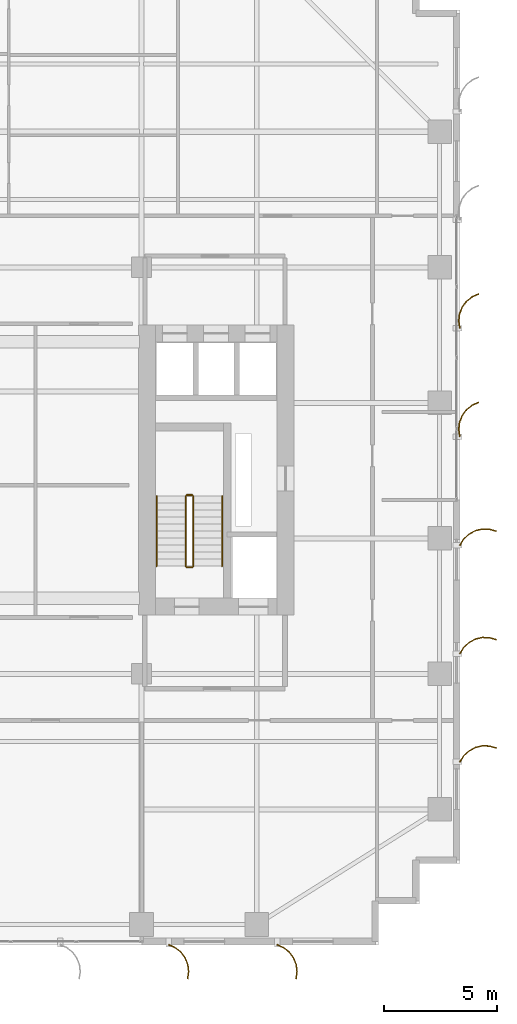
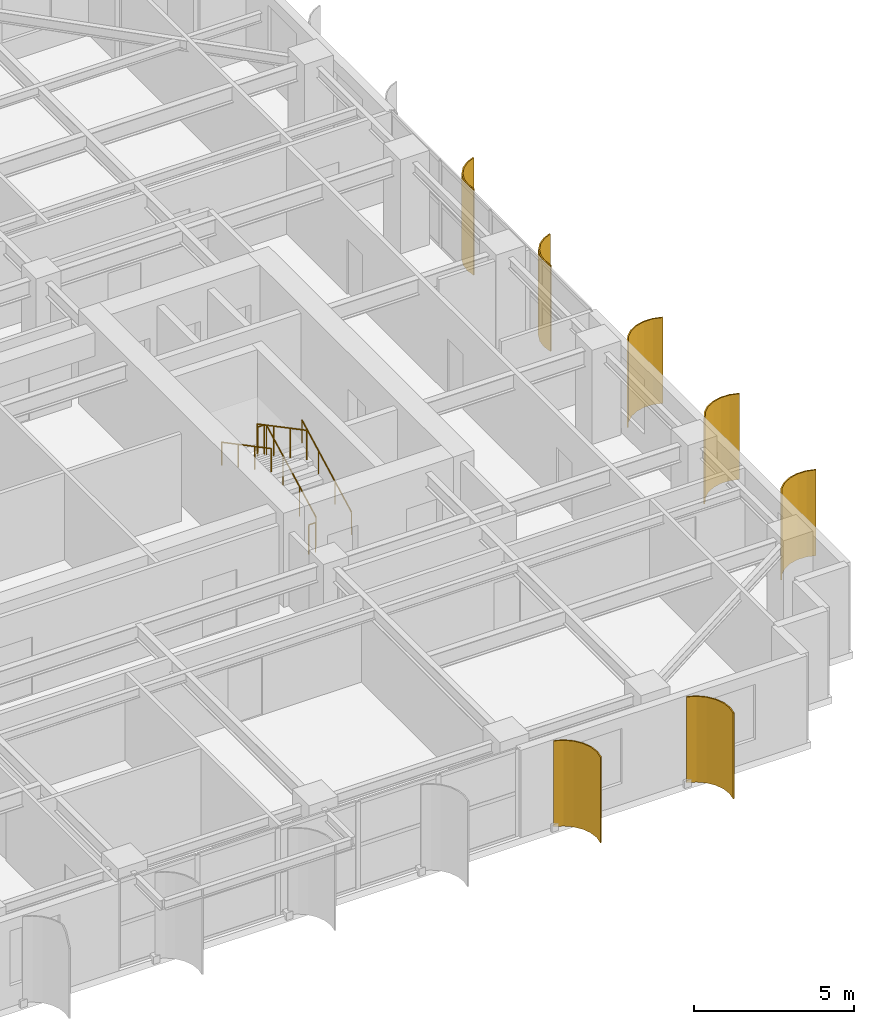
# One storey, part 22 of 23: 7 shading devices, 6 railings.
"""IFC4 building model written with IfcOpenShell, lengths in metres."""

from ifc_helpers import new_model, si_unit, direction, frame, origin, origin_2d, place, context, subcontext, project, spatial, polyline, circle, outline, extrude, source, transform, mapped, material, layer, layer_set, type_object, element, save


model = new_model("IFC4")

# Units and contexts
model_context = context("Model", 3, precision=1e-05, world=origin(), true_north=direction((0.0, 1.0)))
body_context = subcontext(model_context, "Body", "Model", "MODEL_VIEW")
ifc_project = project(units=[si_unit("LENGTHUNIT", "METRE"), si_unit("AREAUNIT", "SQUARE_METRE"), si_unit("VOLUMEUNIT", "CUBIC_METRE"), si_unit("PLANEANGLEUNIT", "RADIAN"), si_unit("MASSUNIT", "GRAM", prefix="KILO")], contexts=[model_context])

# Site, building, storey
site_placement = place(None, origin())
site = spatial("IfcSite", under=ifc_project, at=site_placement, CompositionType="ELEMENT")
building_placement = place(site_placement, origin())
building = spatial("IfcBuilding", under=site, at=building_placement, Name="Khoralis Quay Care Tower", CompositionType="ELEMENT")
storey_placement = place(building_placement, frame((0.0, 0.0, 119.699951171875)))
storey = spatial("IfcBuildingStorey", under=building, at=storey_placement, Name="L31", CompositionType="ELEMENT", Elevation=119.699951171875)

# Railings
ifc_material_1 = material(Name="Brushed stainless steel", Category="steel")
railing_type_1 = type_object("IfcRailingType", Name="RL-GUARD-1150", PredefinedType="GUARDRAIL", material=ifc_material_1)
railing_1_placement = place(storey_placement, frame((33.18994140625, 16.77001953125, 0.16357421875)))
element("IfcRailing", 1, at=railing_1_placement, inside=storey, type_object=railing_type_1, Name="L31 ST-T2 stair guard 1", PredefinedType="GUARDRAIL", context=body_context, shape_type="SweptSolid", body=[
    extrude(circle(Radius=0.02392578125, at=origin_2d()), frame((0.0, 0.0, 1.1259765625), z_axis=(0.0, 0.884348015382, 0.466828220752), x_axis=(-1.0, 0.0, 0.0)), (0.0, 0.0, 1.0), 3.505615234375),
    extrude(circle(Radius=0.02099609375, at=origin_2d()), origin(), (0.0, 0.0, 1.0), 1.101806640625),
    extrude(circle(Radius=0.02099609375, at=origin_2d()), frame((0.0, 1.033447265625, 0.54541015625)), (0.0, 0.0, 1.0), 1.101806640625),
    extrude(circle(Radius=0.02099609375, at=origin_2d()), frame((0.0, 2.066650390625, 1.091064453125)), (0.0, 0.0, 1.0), 1.101806640625),
    extrude(circle(Radius=0.02099609375, at=origin_2d()), frame((0.0, 3.10009765625, 1.636474609375)), (0.0, 0.0, 1.0), 1.101806640625),
])
railing_2_placement = place(storey_placement, frame((33.139892578125, 19.919921875, 1.800048828125)))
element("IfcRailing", 2, at=railing_2_placement, inside=storey, type_object=railing_type_1, Name="L31 ST-T2 stair guard 2", PredefinedType="GUARDRAIL", context=body_context, shape_type="SweptSolid", body=[
    extrude(circle(Radius=0.02392578125, at=origin_2d()), frame((0.0, 0.0, 1.1259765625), z_axis=(-1.0, 0.0, 0.0), x_axis=(0.0, -1.0, 0.0)), (0.0, 0.0, 1.0), 0.239990234375),
    extrude(circle(Radius=0.02099609375, at=origin_2d()), origin(), (0.0, 0.0, 1.0), 1.101806640625),
    extrude(circle(Radius=0.02099609375, at=origin_2d()), frame((-0.239990234375, 0.0, 0.0)), (0.0, 0.0, 1.0), 1.101806640625),
])
railing_3_placement = place(storey_placement, frame((32.85009765625, 19.8701171875, 1.963623046875)))
element("IfcRailing", 3, at=railing_3_placement, inside=storey, type_object=railing_type_1, Name="L31 ST-T2 stair guard 3", PredefinedType="GUARDRAIL", context=body_context, shape_type="SweptSolid", body=[
    extrude(circle(Radius=0.02392578125, at=origin_2d()), frame((0.0, 0.0, 1.1259765625), z_axis=(0.0, -0.884348015382, 0.466828220752), x_axis=(1.0, 0.0, 0.0)), (0.0, 0.0, 1.0), 3.505615234375),
    extrude(circle(Radius=0.02099609375, at=origin_2d()), origin(), (0.0, 0.0, 1.0), 1.101806640625),
    extrude(circle(Radius=0.02099609375, at=origin_2d()), frame((0.0, -1.033447265625, 0.54541015625)), (0.0, 0.0, 1.0), 1.101806640625),
    extrude(circle(Radius=0.02099609375, at=origin_2d()), frame((0.0, -2.066650390625, 1.091064453125)), (0.0, 0.0, 1.0), 1.101806640625),
    extrude(circle(Radius=0.02099609375, at=origin_2d()), frame((0.0, -3.10009765625, 1.636474609375)), (0.0, 0.0, 1.0), 1.101806640625),
])
railing_4_placement = place(storey_placement, frame((33.139892578125, 16.719970703125, 0.0)))
element("IfcRailing", 4, at=railing_4_placement, inside=storey, type_object=railing_type_1, Name="L31 ST-T2 stair guard 4", PredefinedType="GUARDRAIL", context=body_context, shape_type="SweptSolid", body=[
    extrude(circle(Radius=0.02392578125, at=origin_2d()), frame((0.0, 0.0, 1.1259765625), z_axis=(-1.0, 0.0, 0.0), x_axis=(0.0, -1.0, 0.0)), (0.0, 0.0, 1.0), 0.239990234375),
    extrude(circle(Radius=0.02099609375, at=origin_2d()), origin(), (0.0, 0.0, 1.0), 1.101806640625),
    extrude(circle(Radius=0.02099609375, at=origin_2d()), frame((-0.239990234375, 0.0, 0.0)), (0.0, 0.0, 1.0), 1.101806640625),
])
railing_type_2 = type_object("IfcRailingType", Name="RL-HAND-900", PredefinedType="HANDRAIL", material=ifc_material_1)
railing_5_placement = place(storey_placement, frame((34.469970703125, 16.77001953125, 0.16357421875)))
element("IfcRailing", 5, at=railing_5_placement, inside=storey, type_object=railing_type_2, Name="L31 ST-T2 stair handrail 1", PredefinedType="HANDRAIL", context=body_context, shape_type="SweptSolid", body=[
    extrude(circle(Radius=0.02392578125, at=origin_2d()), frame((0.0, 0.0, 0.8759765625), z_axis=(0.0, 0.884348015382, 0.466828220752), x_axis=(-1.0, 0.0, 0.0)), (0.0, 0.0, 1.0), 3.505615234375),
    extrude(circle(Radius=0.02099609375, at=origin_2d()), origin(), (0.0, 0.0, 1.0), 0.851806640625),
    extrude(circle(Radius=0.02099609375, at=origin_2d()), frame((0.0, 1.033447265625, 0.54541015625)), (0.0, 0.0, 1.0), 0.851806640625),
    extrude(circle(Radius=0.02099609375, at=origin_2d()), frame((0.0, 2.066650390625, 1.091064453125)), (0.0, 0.0, 1.0), 0.851806640625),
    extrude(circle(Radius=0.02099609375, at=origin_2d()), frame((0.0, 3.10009765625, 1.636474609375)), (0.0, 0.0, 1.0), 0.851806640625),
])
railing_6_placement = place(storey_placement, frame((31.570068359375, 19.8701171875, 1.963623046875)))
element("IfcRailing", 6, at=railing_6_placement, inside=storey, type_object=railing_type_2, Name="L31 ST-T2 stair handrail 2", PredefinedType="HANDRAIL", context=body_context, shape_type="SweptSolid", body=[
    extrude(circle(Radius=0.02392578125, at=origin_2d()), frame((0.0, 0.0, 0.8759765625), z_axis=(0.0, -0.884348015382, 0.466828220752), x_axis=(1.0, 0.0, 0.0)), (0.0, 0.0, 1.0), 3.505615234375),
    extrude(circle(Radius=0.02099609375, at=origin_2d()), origin(), (0.0, 0.0, 1.0), 0.851806640625),
    extrude(circle(Radius=0.02099609375, at=origin_2d()), frame((0.0, -1.033447265625, 0.54541015625)), (0.0, 0.0, 1.0), 0.851806640625),
    extrude(circle(Radius=0.02099609375, at=origin_2d()), frame((0.0, -2.066650390625, 1.091064453125)), (0.0, 0.0, 1.0), 0.851806640625),
    extrude(circle(Radius=0.02099609375, at=origin_2d()), frame((0.0, -3.10009765625, 1.636474609375)), (0.0, 0.0, 1.0), 0.851806640625),
])

# Shading devices
ifc_material_2 = material(Name="Brushed pale anodised aluminium", Category="aluminium")
ifc_layer = layer(ifc_material_2, 0.044921875)
ifc_layer_set = layer_set([ifc_layer], Name="Brushed pale anodised aluminium")
shading_device_type = type_object("IfcShadingDeviceType", Name="SHD-FIN-1250", PredefinedType="USERDEFINED", material=ifc_layer_set)
shared_shape_1 = source(origin(), body_context, "Body", "SweptSolid", [
    extrude(outline(polyline([(0.0, 0.0), (0.17041015625, 0.2783203125), (0.4072265625, 0.5029296875), (0.694091796875, 0.658447265625), (1.01123046875, 0.734619140625), (1.33740234375, 0.72607421875), (1.650390625, 0.633544921875), (1.632080078125, 0.59228515625), (1.330322265625, 0.681640625), (1.015869140625, 0.68994140625), (0.710205078125, 0.616455078125), (0.43359375, 0.466552734375), (0.20556640625, 0.25), (0.041015625, -0.018310546875), (0.0, 0.0)])), origin(), (0.0, 0.0, 1.0), 3.280029296875),
])
for number, where, z_axis, x_axis, name in (
    (7, (44.969970703125, 8.10009765625, 0.02001953125), (0.0, 0.0, 1.0), (1.0, 0.0, 0.0), "L31 Curved Solar Fin P1E5-01"),
    (8, (44.969970703125, 12.89990234375, 0.02001953125), (0.0, 0.0, 1.0), (1.0, 0.0, 0.0), "L31 Curved Solar Fin P1E5-02"),
    (9, (44.969970703125, 17.699951171875, 0.02001953125), (0.0, 0.0, 1.0), (1.0, 0.0, 0.0), "L31 Curved Solar Fin P1E5-03"),
):
    element("IfcShadingDevice", number, at=place(storey_placement, frame(where, z_axis=z_axis, x_axis=x_axis)), inside=storey, type_object=shading_device_type, Name=name, ObjectType="FIN", PredefinedType="USERDEFINED", context=body_context, shape_type="MappedRepresentation", body=[
        mapped(shared_shape_1, transform((0.0, 0.0, 0.0), scale=1.0)),
    ])
shared_shape_2 = source(origin(), body_context, "Body", "SweptSolid", [
    extrude(outline(polyline([(0.0, 0.0), (-0.04833984375, 0.32275390625), (-0.01123046875, 0.64697265625), (0.1083984375, 0.950439453125), (0.302490234375, 1.212890625), (0.557861328125, 1.416015625), (0.85693359375, 1.546142578125), (0.869384765625, 1.5029296875), (0.5810546875, 1.37744140625), (0.334716796875, 1.181640625), (0.147705078125, 0.9287109375), (0.032470703125, 0.635986328125), (-0.003173828125, 0.323486328125), (0.043212890625, 0.012451171875), (0.0, 0.0)])), origin(), (0.0, 0.0, 1.0), 3.280029296875),
])
for number, where, z_axis, x_axis, name in (
    (10, (44.969970703125, 22.5, 0.02001953125), (0.0, 0.0, 1.0), (1.0, 0.0, 0.0), "L31 Curved Solar Fin P1E5-04"),
    (11, (44.969970703125, 27.300048828125, 0.02001953125), (0.0, 0.0, 1.0), (1.0, 0.0, 0.0), "L31 Curved Solar Fin P1E5-05"),
):
    element("IfcShadingDevice", number, at=place(storey_placement, frame(where, z_axis=z_axis, x_axis=x_axis)), inside=storey, type_object=shading_device_type, Name=name, ObjectType="FIN", PredefinedType="USERDEFINED", context=body_context, shape_type="MappedRepresentation", body=[
        mapped(shared_shape_2, transform((0.0, 0.0, 0.0), scale=1.0)),
    ])
shared_shape_3 = source(origin(), body_context, "Body", "SweptSolid", [
    extrude(outline(polyline([(0.0, 0.0), (0.130126953125, 0.29931640625), (0.333251953125, 0.5546875), (0.595458984375, 0.748779296875), (0.899169921875, 0.868408203125), (1.223388671875, 0.9052734375), (1.546142578125, 0.85693359375), (1.53369140625, 0.813720703125), (1.22265625, 0.8603515625), (0.91015625, 0.82470703125), (0.617431640625, 0.70947265625), (0.364501953125, 0.522216796875), (0.168701171875, 0.276123046875), (0.043212890625, -0.012451171875), (0.0, 0.0)])), origin(), (0.0, 0.0, 1.0), 3.280029296875),
])
for number, where, z_axis, x_axis, name in (
    (12, (32.10009765625, 0.030029296875, 0.02001953125), (0.0, 0.0, 1.0), (0.0, -1.0, 0.0), "L31 Curved Solar Fin P1E0-06"),
    (13, (36.89990234375, 0.030029296875, 0.02001953125), (0.0, 0.0, 1.0), (0.0, -1.0, 0.0), "L31 Curved Solar Fin P1E0-07"),
):
    element("IfcShadingDevice", number, at=place(storey_placement, frame(where, z_axis=z_axis, x_axis=x_axis)), inside=storey, type_object=shading_device_type, Name=name, ObjectType="FIN", PredefinedType="USERDEFINED", context=body_context, shape_type="MappedRepresentation", body=[
        mapped(shared_shape_3, transform((0.0, 0.0, 0.0), scale=1.0)),
    ])

save(model, "model.ifc")
